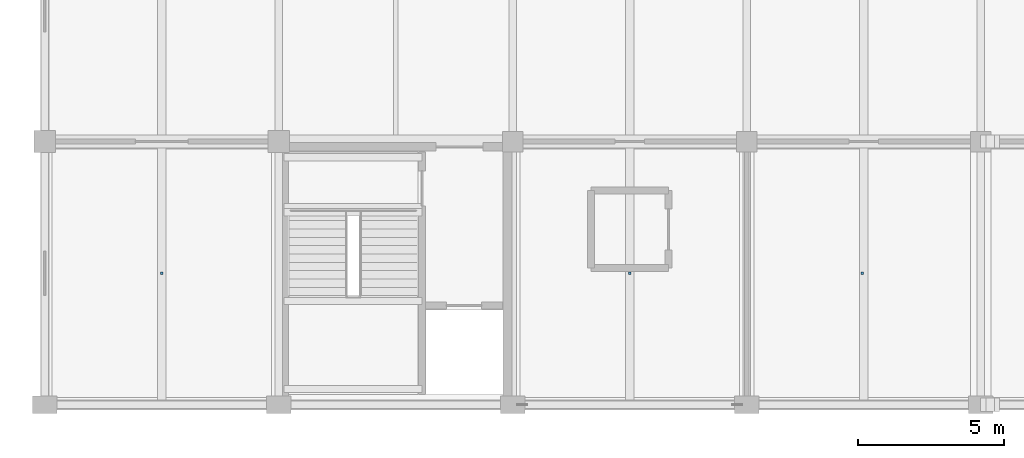
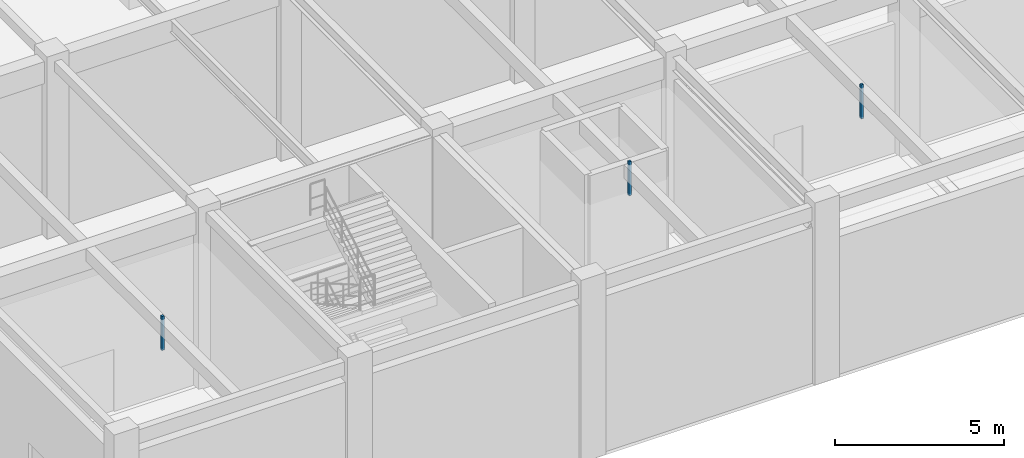
# One storey, part 140 of 163: 3 discrete accessories.
"""IFC4 building model written with IfcOpenShell, lengths in metres."""

from ifc_helpers import new_model, si_unit, direction, frame, origin, origin_2d, place, context, subcontext, project, spatial, rectangle, extrude, material, layer, layer_set, type_object, element, save


model = new_model("IFC4")

# Units and contexts
model_context = context("Model", 3, precision=1e-05, world=origin(), true_north=direction((0.0, 1.0)))
body_context = subcontext(model_context, "Body", "Model", "MODEL_VIEW")
ifc_project = project(units=[si_unit("LENGTHUNIT", "METRE"), si_unit("AREAUNIT", "SQUARE_METRE"), si_unit("VOLUMEUNIT", "CUBIC_METRE"), si_unit("PLANEANGLEUNIT", "RADIAN"), si_unit("MASSUNIT", "GRAM", prefix="KILO")], contexts=[model_context])

# Site, building, storey
site_placement = place(None, origin())
site = spatial("IfcSite", under=ifc_project, at=site_placement, CompositionType="ELEMENT")
building_placement = place(site_placement, origin())
building = spatial("IfcBuilding", under=site, at=building_placement, Name="Varnabhumi Central Station", CompositionType="ELEMENT")
storey_placement = place(building_placement, frame((0.0, 0.0, 9.60009765625)))
storey = spatial("IfcBuildingStorey", under=building, at=storey_placement, Name="L02", CompositionType="ELEMENT", Elevation=9.60009765625)

# Discrete accessories
ifc_material = material(Name="Structural steel E350", Category="steel")
ifc_layer = layer(ifc_material, 0.159912109375, Name="Structural steel E350", Category="steel")
ifc_layer_set = layer_set([ifc_layer], Name="Structural steel E350")
discrete_accessory_type = type_object("IfcDiscreteAccessoryType", Name="ACC-SHADE-BRKT", PredefinedType="BRACKET", material=ifc_layer_set)
for number, where, z_axis, x_axis, name in (
    (1, (36.0, 4.5, 5.239990234375), (0.0, 0.0, 1.0), (1.0, 0.0, 0.0), "Intercity Express Waiting Lounge Ceiling Hanger"),
    (2, (52.0, 4.5, 5.239990234375), (0.0, 0.0, 1.0), (1.0, 0.0, 0.0), "Passenger Assistance Control Office Ceiling Hanger"),
    (3, (59.949951171875, 4.5, 5.239990234375), (0.0, 0.0, 1.0), (1.0, 0.0, 0.0), "Rail Reservation Counter Office Ceiling Hanger"),
):
    element("IfcDiscreteAccessory", number, at=place(storey_placement, frame(where, z_axis=z_axis, x_axis=x_axis)), inside=storey, type_object=discrete_accessory_type, Name=name, PredefinedType="BRACKET", context=body_context, shape_type="SweptSolid", body=[
        extrude(rectangle(XDim=0.080078125, YDim=0.080078125, at=origin_2d()), origin(), (0.0, 0.0, 1.0), 1.22998046875),
    ])

save(model, "model.ifc")
